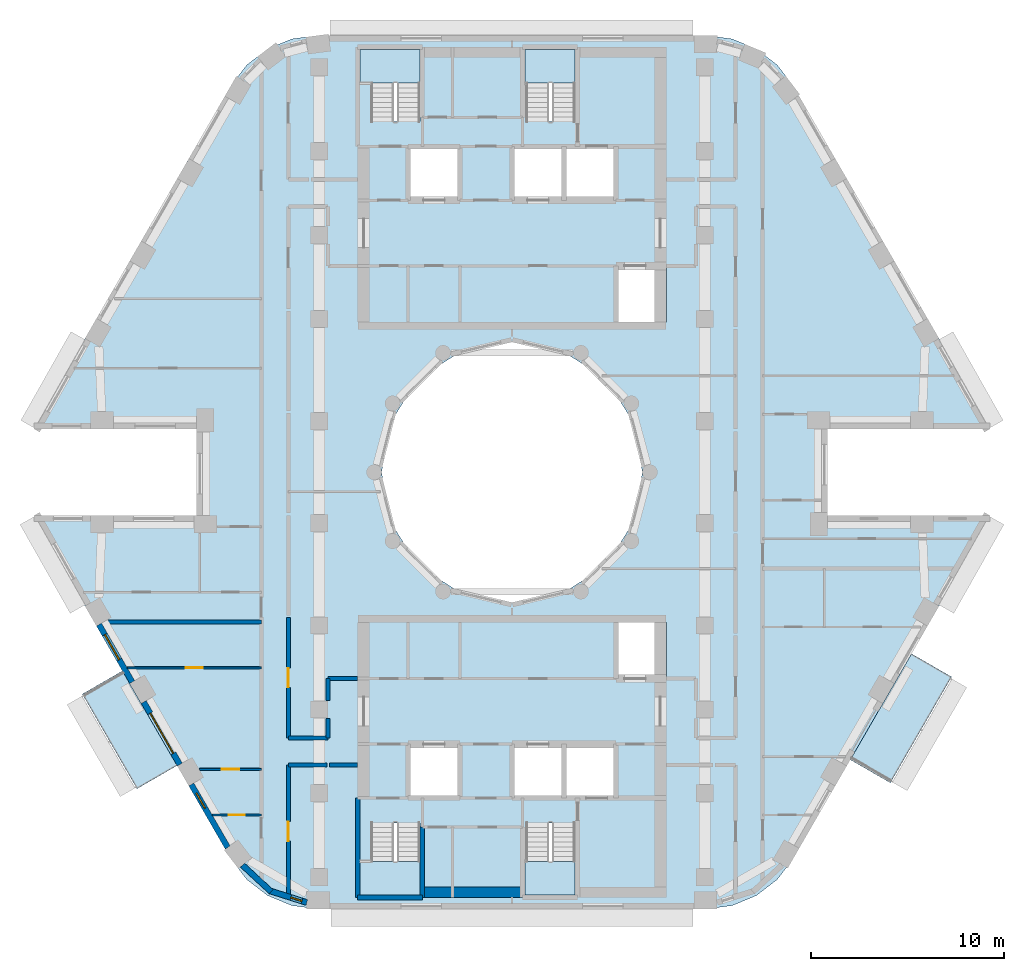
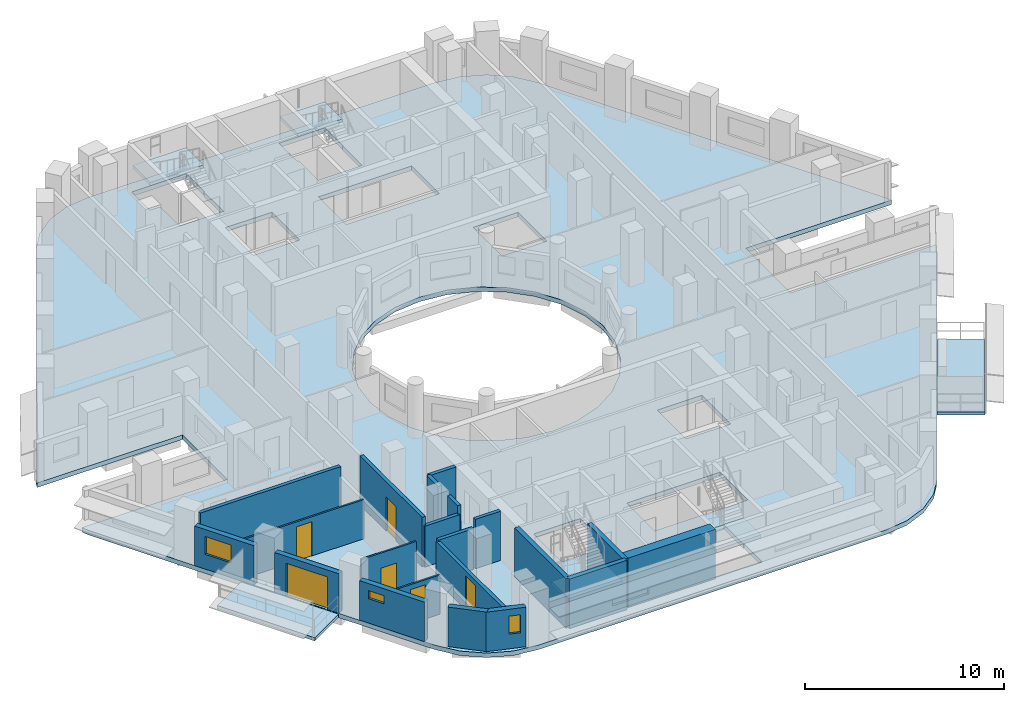
# One storey, part 2 of 15: 21 walls, 7 slabs, 6 doors, 3 windows, 9 openings, 4 elements without a shape of their own.
"""IFC4 building model written with IfcOpenShell, lengths in metres."""

from ifc_helpers import new_model, si_unit, direction, frame, frame_2d, origin, place, context, subcontext, project, spatial, polyline, rectangle, outline, extrude, material, layer, layer_set, type_object, element, fill, aggregate, save


model = new_model("IFC4")

# Units and contexts
model_context = context("Model", 3, precision=1e-05, world=origin(), true_north=direction((0.0, 1.0)))
body_context = subcontext(model_context, "Body", "Model", "MODEL_VIEW")
ifc_project = project(units=[si_unit("LENGTHUNIT", "METRE"), si_unit("AREAUNIT", "SQUARE_METRE"), si_unit("VOLUMEUNIT", "CUBIC_METRE"), si_unit("PLANEANGLEUNIT", "RADIAN"), si_unit("MASSUNIT", "GRAM", prefix="KILO")], contexts=[model_context])

# Site, building, storey
site_placement = place(None, origin())
site = spatial("IfcSite", under=ifc_project, at=site_placement, CompositionType="ELEMENT")
building_placement = place(site_placement, origin())
building = spatial("IfcBuilding", under=site, at=building_placement, Name="Nakaniwa Court", CompositionType="ELEMENT")
storey_placement = place(building_placement, frame((0.0, 0.0, 183.300048828125)))
storey = spatial("IfcBuildingStorey", under=building, at=storey_placement, Name="L47", CompositionType="ELEMENT", Elevation=183.300048828125)

# Slabs
ifc_material_1 = material(Name="Charcoal ceramic paver")
ifc_layer_1 = layer(ifc_material_1, 0.02, Name="Ceramic paver")
ifc_material_2 = material(Name="Cement sand screed")
ifc_layer_2 = layer(ifc_material_2, 0.03, Name="Falls screed")
ifc_material_3 = material(Name="Concrete C40/50", Category="concrete")
ifc_layer_3 = layer(ifc_material_3, 0.15, Name="Balcony slab")
ifc_layer_set_1 = layer_set([ifc_layer_1, ifc_layer_2, ifc_layer_3], Name="Concrete C40/50 balcony slab with ceramic paver finish")
slab_type_1 = type_object("IfcSlabType", Name="Balcony slab 200", PredefinedType="FLOOR", material=ifc_layer_set_1)
slab_1_placement = place(storey_placement, frame((0.0, 0.0, -0.25)))
element("IfcSlab", 1, at=slab_1_placement, inside=storey, type_object=slab_type_1, Name="L47 balcony 01", PredefinedType="FLOOR", context=body_context, shape_type="SweptSolid", body=[
    extrude(outline(polyline([(59.794677734375, 69.696533203125), (62.629150390625, 64.787353515625), (60.55078125, 63.58740234375), (57.71630859375, 68.49658203125), (59.794677734375, 69.696533203125)])), origin(), (0.0, 0.0, 1.0), 0.199951171875),
])
slab_2_placement = place(storey_placement, frame((0.0, 0.0, -0.25)))
element("IfcSlab", 2, at=slab_2_placement, inside=storey, type_object=slab_type_1, Name="L47 balcony 02", PredefinedType="FLOOR", context=body_context, shape_type="SweptSolid", body=[
    extrude(outline(polyline([(97.546142578125, 65.0908203125), (100.71923828125, 70.58642578125), (102.797607421875, 69.386474609375), (99.62451171875, 63.890625), (97.546142578125, 65.0908203125)])), origin(), (0.0, 0.0, 1.0), 0.199951171875),
])
ifc_material_4 = material(Name="Concrete C80/100", Category="concrete")
ifc_layer_4 = layer(ifc_material_4, 0.27490234375)
ifc_layer_set_2 = layer_set([ifc_layer_4], Name="Concrete C80/100")
slab_type_2 = type_object("IfcSlabType", Name="Concrete C80/100 post tensioned floor slab 275", PredefinedType="FLOOR", material=ifc_layer_set_2)
slab_3_placement = place(storey_placement, frame((0.0, 0.0, -0.275146484375)))
element("IfcSlab", 3, at=slab_3_placement, inside=storey, type_object=slab_type_2, Name="FLOOR SLAB", PredefinedType="FLOOR", context=body_context, shape_type="SweptSolid", body=[
    extrude(outline(polyline([(96.349609375, 82.25), (104.7978515625, 82.25), (104.65283203125, 82.60009765625), (94.578125, 100.050048828125), (93.751708984375, 101.126953125), (92.6748046875, 101.953369140625), (91.420654296875, 102.472900390625), (90.07470703125, 102.64990234375), (69.92529296875, 102.64990234375), (68.579345703125, 102.472900390625), (67.3251953125, 101.953369140625), (66.248291015625, 101.126953125), (65.421875, 100.050048828125), (55.34716796875, 82.60009765625), (55.2021484375, 82.25), (63.650390625, 82.25), (63.650390625, 77.75), (55.2021484375, 77.75), (55.34716796875, 77.39990234375), (65.421875, 59.949951171875), (66.248291015625, 58.873046875), (67.3251953125, 58.046630859375), (68.579345703125, 57.527099609375), (69.92529296875, 57.35009765625), (90.07470703125, 57.35009765625), (91.420654296875, 57.527099609375), (92.6748046875, 58.046630859375), (93.751708984375, 58.873046875), (94.578125, 59.949951171875), (104.65283203125, 77.39990234375), (104.7978515625, 77.75), (96.349609375, 77.75), (96.349609375, 82.25)]), holes=[polyline([(81.501953125, 86.580810546875), (80.0, 86.75), (78.498046875, 86.580810546875), (77.0712890625, 86.08154296875), (75.79150390625, 85.27734375), (74.72265625, 84.20849609375), (73.91845703125, 82.9287109375), (73.419189453125, 81.501953125), (73.25, 80.0), (73.419189453125, 78.498046875), (73.91845703125, 77.0712890625), (74.72265625, 75.79150390625), (75.79150390625, 74.72265625), (77.0712890625, 73.91845703125), (78.498046875, 73.419189453125), (80.0, 73.25), (81.501953125, 73.419189453125), (82.9287109375, 73.91845703125), (84.20849609375, 74.72265625), (85.27734375, 75.79150390625), (86.08154296875, 77.0712890625), (86.580810546875, 78.498046875), (86.75, 80.0), (86.580810546875, 81.501953125), (86.08154296875, 82.9287109375), (85.27734375, 84.20849609375), (84.20849609375, 85.27734375), (82.9287109375, 86.08154296875), (81.501953125, 86.580810546875)]), polyline([(72.675048828125, 61.81005859375), (72.675048828125, 59.864990234375), (72.0849609375, 59.864990234375), (72.0849609375, 58.034912109375), (75.264892578125, 58.034912109375), (75.264892578125, 59.864990234375), (75.22509765625, 59.864990234375), (75.22509765625, 61.81005859375), (72.675048828125, 61.81005859375)]), polyline([(77.300048828125, 65.89990234375), (74.60009765625, 65.89990234375), (74.60009765625, 63.10009765625), (77.300048828125, 63.10009765625), (77.300048828125, 65.89990234375)]), polyline([(80.0, 65.89990234375), (80.0, 63.10009765625), (82.699951171875, 63.10009765625), (85.39990234375, 63.10009765625), (85.39990234375, 65.89990234375), (82.699951171875, 65.89990234375), (80.0, 65.89990234375)]), polyline([(77.300048828125, 96.89990234375), (74.60009765625, 96.89990234375), (74.60009765625, 94.10009765625), (77.300048828125, 94.10009765625), (77.300048828125, 96.89990234375)]), polyline([(80.0, 96.89990234375), (80.0, 94.10009765625), (82.699951171875, 94.10009765625), (85.39990234375, 94.10009765625), (85.39990234375, 96.89990234375), (82.699951171875, 96.89990234375), (80.0, 96.89990234375)]), polyline([(75.264892578125, 100.135009765625), (75.264892578125, 101.965087890625), (72.0849609375, 101.965087890625), (72.0849609375, 100.135009765625), (72.675048828125, 100.135009765625), (72.675048828125, 98.18994140625), (75.22509765625, 98.18994140625), (75.22509765625, 100.135009765625), (75.264892578125, 100.135009765625)]), polyline([(83.27490234375, 61.81005859375), (80.72509765625, 61.81005859375), (80.72509765625, 59.864990234375), (80.635009765625, 59.864990234375), (80.635009765625, 58.034912109375), (83.31494140625, 58.034912109375), (83.31494140625, 59.864990234375), (83.27490234375, 59.864990234375), (83.27490234375, 61.81005859375)]), polyline([(88.0, 72.199951171875), (85.39990234375, 72.199951171875), (85.39990234375, 69.300048828125), (88.0, 69.300048828125), (88.0, 72.199951171875)]), polyline([(88.0, 90.699951171875), (85.39990234375, 90.699951171875), (85.39990234375, 87.800048828125), (88.0, 87.800048828125), (88.0, 90.699951171875)]), polyline([(83.31494140625, 100.135009765625), (83.31494140625, 101.965087890625), (80.635009765625, 101.965087890625), (80.635009765625, 100.135009765625), (80.72509765625, 100.135009765625), (80.72509765625, 98.18994140625), (83.27490234375, 98.18994140625), (83.27490234375, 100.135009765625), (83.31494140625, 100.135009765625)])]), origin(), (0.0, 0.0, 1.0), 0.275146484375),
])

# Stair, slab
stair_type = type_object("IfcStairType", Name="Dog leg stair 1200 wide 18 risers", PredefinedType="HALF_TURN_STAIR", material=ifc_material_4)
stair_1_placement = place(storey_placement, origin())
stair_1 = element("IfcStair", 4, at=stair_1_placement, inside=storey, type_object=stair_type, Name="L47 Stair ST1", PredefinedType="HALF_TURN_STAIR")
ifc_layer_5 = layer(ifc_material_4, 0.199951171875)
ifc_layer_set_3 = layer_set([ifc_layer_5], Name="Concrete C80/100")
slab_type_3 = type_object("IfcSlabType", Name="Stair landing concrete", PredefinedType="LANDING", material=ifc_layer_set_3)
slab_4_placement = place(storey_placement, frame((0.0, 0.0, 1.449951171875)))
slab_4 = element("IfcSlab", 5, at=slab_4_placement, type_object=slab_type_3, Name="ST1 landing 1", PredefinedType="LANDING", context=body_context, shape_type="SweptSolid", body=[
    extrude(outline(polyline([(75.22509765625, 100.175048828125), (75.22509765625, 101.925048828125), (72.125, 101.925048828125), (72.125, 100.175048828125), (75.22509765625, 100.175048828125)])), origin(), (0.0, 0.0, 1.0), 0.199951171875),
])
aggregate(stair_1, [slab_4])

stair_2_placement = place(storey_placement, origin())
stair_2 = element("IfcStair", 6, at=stair_2_placement, inside=storey, type_object=stair_type, Name="L47 Stair ST2", PredefinedType="HALF_TURN_STAIR")
slab_5_placement = place(storey_placement, frame((0.0, 0.0, 1.449951171875)))
slab_5 = element("IfcSlab", 7, at=slab_5_placement, type_object=slab_type_3, Name="ST2 landing 1", PredefinedType="LANDING", context=body_context, shape_type="SweptSolid", body=[
    extrude(outline(polyline([(83.27490234375, 100.175048828125), (83.27490234375, 101.925048828125), (80.675048828125, 101.925048828125), (80.675048828125, 100.175048828125), (83.27490234375, 100.175048828125)])), origin(), (0.0, 0.0, 1.0), 0.199951171875),
])
aggregate(stair_2, [slab_5])

stair_3_placement = place(storey_placement, origin())
stair_3 = element("IfcStair", 8, at=stair_3_placement, inside=storey, type_object=stair_type, Name="L47 Stair ST3", PredefinedType="HALF_TURN_STAIR")
slab_6_placement = place(storey_placement, frame((0.0, 0.0, 1.449951171875)))
slab_6 = element("IfcSlab", 9, at=slab_6_placement, type_object=slab_type_3, Name="ST3 landing 1", PredefinedType="LANDING", context=body_context, shape_type="SweptSolid", body=[
    extrude(outline(polyline([(75.22509765625, 58.074951171875), (75.22509765625, 59.824951171875), (72.125, 59.824951171875), (72.125, 58.074951171875), (75.22509765625, 58.074951171875)])), origin(), (0.0, 0.0, 1.0), 0.199951171875),
])
aggregate(stair_3, [slab_6])

stair_4_placement = place(storey_placement, origin())
stair_4 = element("IfcStair", 10, at=stair_4_placement, inside=storey, type_object=stair_type, Name="L47 Stair ST4", PredefinedType="HALF_TURN_STAIR")
slab_7_placement = place(storey_placement, frame((0.0, 0.0, 1.449951171875)))
slab_7 = element("IfcSlab", 11, at=slab_7_placement, type_object=slab_type_3, Name="ST4 landing 1", PredefinedType="LANDING", context=body_context, shape_type="SweptSolid", body=[
    extrude(outline(polyline([(83.27490234375, 58.074951171875), (83.27490234375, 59.824951171875), (80.675048828125, 59.824951171875), (80.675048828125, 58.074951171875), (83.27490234375, 58.074951171875)])), origin(), (0.0, 0.0, 1.0), 0.199951171875),
])
aggregate(stair_4, [slab_7])

# Walls
ifc_material_5 = material(Name="Acoustic double stud partition")
ifc_layer_6 = layer(ifc_material_5, 0.199951171875)
ifc_layer_set_4 = layer_set([ifc_layer_6], Name="Acoustic double stud partition")
wall_type_1 = type_object("IfcWallType", Name="Acoustic double stud partition 200", PredefinedType="PARTITIONING", material=ifc_layer_set_4)
wall_1_placement = place(storey_placement, frame((68.39990234375, 64.824951171875, 0.0), z_axis=(0.0, 0.0, 1.0), x_axis=(1.0, 0.0, 0.0)))
element("IfcWall", 12, at=wall_1_placement, inside=storey, type_object=wall_type_1, Name="Partition PW-074", PredefinedType="PARTITIONING", context=body_context, shape_type="SweptSolid", body=[
    extrude(rectangle(XDim=2.012939453125, YDim=0.199951171875, at=frame_2d((1.00634765625, 0.0))), origin(), (0.0, 0.0, 1.0), 2.5048828125),
])
wall_2_placement = place(storey_placement, frame((70.527099609375, 64.824951171875, 0.0), z_axis=(0.0, 0.0, 1.0), x_axis=(1.0, 0.0, 0.0)))
element("IfcWall", 13, at=wall_2_placement, inside=storey, type_object=wall_type_1, Name="Partition PW-075", PredefinedType="PARTITIONING", context=body_context, shape_type="SweptSolid", body=[
    extrude(rectangle(XDim=1.472900390625, YDim=0.199951171875, at=frame_2d((0.736328125, 0.0))), origin(), (0.0, 0.0, 1.0), 3.02490234375),
])
wall_3_placement = place(storey_placement, frame((70.449951171875, 69.300048828125, 0.0), z_axis=(0.0, 0.0, 1.0), x_axis=(1.0, 0.0, 0.0)))
element("IfcWall", 14, at=wall_3_placement, inside=storey, type_object=wall_type_1, Name="Partition PW-079", PredefinedType="PARTITIONING", context=body_context, shape_type="SweptSolid", body=[
    extrude(rectangle(XDim=1.550048828125, YDim=0.199951171875, at=frame_2d((0.77490234375, 0.0))), origin(), (0.0, 0.0, 1.0), 3.02490234375),
])
wall_4_placement = place(storey_placement, frame((68.39990234375, 66.22509765625, 0.0), z_axis=(0.0, 0.0, 1.0), x_axis=(1.0, 0.0, 0.0)))
element("IfcWall", 15, at=wall_4_placement, inside=storey, type_object=wall_type_1, Name="Partition PW-085", PredefinedType="PARTITIONING", context=body_context, shape_type="SweptSolid", body=[
    extrude(rectangle(XDim=2.050048828125, YDim=0.199951171875, at=frame_2d((1.02490234375, 0.0))), origin(), (0.0, 0.0, 1.0), 2.5048828125),
])

# Wall, opening, door
wall_5_placement = place(storey_placement, frame((68.39990234375, 64.824951171875, 0.0), z_axis=(0.0, 0.0, 1.0), x_axis=(0.0, -1.0, 0.0)))
wall_5 = element("IfcWall", 16, at=wall_5_placement, inside=storey, type_object=wall_type_1, Name="Partition PW-095", PredefinedType="PARTITIONING", context=body_context, shape_type="SweptSolid", body=[
    extrude(rectangle(XDim=6.898681640625, YDim=0.199951171875, at=frame_2d((3.44921875, 0.0))), origin(), (0.0, 0.0, 1.0), 2.405029296875),
])
opening_1_placement = place(wall_5_placement, frame((2.949951171875, 0.0, 0.0)))
opening_1 = element("IfcOpeningElement", 17, at=opening_1_placement, cuts=wall_5, Name="Opening D-02-05", PredefinedType="OPENING", context=body_context, shape_type="SweptSolid", body=[
    extrude(rectangle(XDim=1.0, YDim=2.10009765625, at=frame_2d((0.5, 1.050048828125))), frame((0.0, 0.10986328125, 0.0), z_axis=(0.0, -1.0, 0.0), x_axis=(1.0, 0.0, 0.0)), (0.0, 0.0, 1.0), 0.219970703125),
])
ifc_material_6 = material(Name="Solid core timber door set, black veneer", Category="wood")
door_type_1 = type_object("IfcDoorType", Name="Internal door 1000", OperationType="NOTDEFINED", PredefinedType="DOOR", material=ifc_material_6)
door_1_placement = place(opening_1_placement, origin())
door_1 = element("IfcDoor", 18, at=door_1_placement, inside=storey, type_object=door_type_1, Name="Door D-02-05 L47-036", OperationType="SINGLE_SWING_LEFT", OverallHeight=2.10009765625, OverallWidth=1.0, PredefinedType="DOOR", context=body_context, shape_type="SweptSolid", body=[
    extrude(rectangle(XDim=1.0, YDim=2.10009765625, at=frame_2d((0.5, 1.050048828125))), frame((0.0, 0.02490234375, 0.0), z_axis=(0.0, -1.0, 0.0), x_axis=(1.0, 0.0, 0.0)), (0.0, 0.0, 1.0), 0.050048828125),
])
fill(opening_1, door_1)

wall_6_placement = place(storey_placement, frame((68.39990234375, 72.462890625, 0.0), z_axis=(0.0, 0.0, 1.0), x_axis=(0.0, -1.0, 0.0)))
wall_6 = element("IfcWall", 19, at=wall_6_placement, inside=storey, type_object=wall_type_1, Name="Partition PW-096", PredefinedType="PARTITIONING", context=body_context, shape_type="SweptSolid", body=[
    extrude(rectangle(XDim=6.23779296875, YDim=0.199951171875, at=frame_2d((3.118896484375, 0.0))), origin(), (0.0, 0.0, 1.0), 3.02490234375),
])
opening_2_placement = place(wall_6_placement, frame((2.6201171875, 0.0, 0.0)))
opening_2 = element("IfcOpeningElement", 20, at=opening_2_placement, cuts=wall_6, Name="Opening D-02-06", PredefinedType="OPENING", context=body_context, shape_type="SweptSolid", body=[
    extrude(rectangle(XDim=1.0, YDim=2.10009765625, at=frame_2d((0.5, 1.050048828125))), frame((0.0, 0.10986328125, 0.0), z_axis=(0.0, -1.0, 0.0), x_axis=(1.0, 0.0, 0.0)), (0.0, 0.0, 1.0), 0.219970703125),
])
door_2_placement = place(opening_2_placement, origin())
door_2 = element("IfcDoor", 21, at=door_2_placement, inside=storey, type_object=door_type_1, Name="Door D-02-06 L47-041", OperationType="SINGLE_SWING_RIGHT", OverallHeight=2.10009765625, OverallWidth=1.0, PredefinedType="DOOR", context=body_context, shape_type="SweptSolid", body=[
    extrude(rectangle(XDim=1.0, YDim=2.10009765625, at=frame_2d((0.5, 1.050048828125))), frame((0.0, 0.02490234375, 0.0), z_axis=(0.0, -1.0, 0.0), x_axis=(1.0, 0.0, 0.0)), (0.0, 0.0, 1.0), 0.050048828125),
])
fill(opening_2, door_2)

# Walls
wall_7_placement = place(storey_placement, frame((70.449951171875, 66.22509765625, 0.0), z_axis=(0.0, 0.0, 1.0), x_axis=(0.0, 1.0, 0.0)))
element("IfcWall", 22, at=wall_7_placement, inside=storey, type_object=wall_type_1, Name="Partition PW-103", PredefinedType="PARTITIONING", context=body_context, shape_type="SweptSolid", body=[
    extrude(rectangle(XDim=1.0078125, YDim=0.199951171875, at=frame_2d((0.50390625, 0.0))), origin(), (0.0, 0.0, 1.0), 3.02490234375),
])
wall_8_placement = place(storey_placement, frame((70.449951171875, 68.167236328125, 0.0), z_axis=(0.0, 0.0, 1.0), x_axis=(0.0, 1.0, 0.0)))
element("IfcWall", 23, at=wall_8_placement, inside=storey, type_object=wall_type_1, Name="Partition PW-104", PredefinedType="PARTITIONING", context=body_context, shape_type="SweptSolid", body=[
    extrude(rectangle(XDim=1.1328125, YDim=0.199951171875, at=frame_2d((0.56640625, 0.0))), origin(), (0.0, 0.0, 1.0), 3.02490234375),
])
wall_9_placement = place(storey_placement, frame((58.8408203125, 72.22509765625, 0.0), z_axis=(0.0, 0.0, 1.0), x_axis=(1.0, 0.0, 0.0)))
element("IfcWall", 24, at=wall_9_placement, inside=storey, type_object=wall_type_1, Name="Partition PW-125", PredefinedType="PARTITIONING", context=body_context, shape_type="SweptSolid", body=[
    extrude(rectangle(XDim=8.158203125, YDim=0.199951171875, at=frame_2d((4.0791015625, 0.0))), origin(), (0.0, 0.0, 1.0), 3.02490234375),
])

# Wall, opening, window
ifc_material_7 = material(Name="Charcoal ceramic cladding")
ifc_layer_7 = layer(ifc_material_7, 0.02, Name="Ceramic cladding")
ifc_material_8 = material(Name="Ventilated air cavity")
ifc_layer_8 = layer(ifc_material_8, 0.04, ventilated=True, Name="Ventilated cavity")
ifc_material_9 = material(Name="Mineral wool insulation")
ifc_layer_9 = layer(ifc_material_9, 0.1, Name="Insulation")
ifc_material_10 = material(Name="Cement bonded sheathing board")
ifc_layer_10 = layer(ifc_material_10, 0.012, Name="Sheathing")
ifc_material_11 = material(Name="Cold-formed galvanised stud frame with mineral wool infill")
ifc_layer_11 = layer(ifc_material_11, 0.1, Name="Stud frame")
ifc_material_12 = material(Name="Fire-rated gypsum plasterboard lining")
ifc_layer_12 = layer(ifc_material_12, 0.028, Name="Lining")
ifc_layer_set_5 = layer_set([ifc_layer_7, ifc_layer_8, ifc_layer_9, ifc_layer_10, ifc_layer_11, ifc_layer_12], Name="Charcoal ceramic faced external wall system")
wall_type_2 = type_object("IfcWallType", Name="Black ceramic faced external wall 300", PredefinedType="SOLIDWALL", material=ifc_layer_set_5)
wall_10_placement = place(storey_placement, frame((58.579345703125, 72.101806640625, 0.0), z_axis=(0.0, 0.0, 1.0), x_axis=(0.499955427682, -0.866051136095, 0.0)))
wall_10 = element("IfcWall", 25, at=wall_10_placement, inside=storey, type_object=wall_type_2, Name="L47 external wall 21", PredefinedType="SOLIDWALL", context=body_context, shape_type="SweptSolid", body=[
    extrude(rectangle(XDim=3.447021484375, YDim=0.300048828125, at=frame_2d((1.7236328125, 0.0))), origin(), (0.0, 0.0, 1.0), 2.425048828125),
])
opening_3_placement = place(wall_10_placement, frame((0.607421875, 0.0, 0.89990234375)))
opening_3 = element("IfcOpeningElement", 26, at=opening_3_placement, cuts=wall_10, Name="Opening W5.24", PredefinedType="OPENING", context=body_context, shape_type="SweptSolid", body=[
    extrude(rectangle(XDim=1.5, YDim=1.10009765625, at=frame_2d((0.75, 0.550048828125))), frame((0.0, 0.159912109375, 0.0), z_axis=(0.0, -1.0, 0.0), x_axis=(1.0, 0.0, 0.0)), (0.0, 0.0, 1.0), 0.320068359375),
])
ifc_material_13 = material(Name="Black anodised aluminium frame with dark low-E laminated double glazing", Category="aluminium")
window_type_1 = type_object("IfcWindowType", Name="Dark glass window 1500x1100 sill 900", PartitioningType="SINGLE_PANEL", PredefinedType="WINDOW", material=ifc_material_13)
window_1_placement = place(opening_3_placement, origin())
window_1 = element("IfcWindow", 27, at=window_1_placement, inside=storey, type_object=window_type_1, Name="L47 habitable room window 21-1", OverallHeight=1.10009765625, OverallWidth=1.5, PartitioningType="SINGLE_PANEL", PredefinedType="WINDOW", context=body_context, shape_type="SweptSolid", body=[
    extrude(rectangle(XDim=1.5, YDim=1.10009765625, at=frame_2d((0.75, 0.550048828125))), frame((0.0, 0.030029296875, 0.0), z_axis=(0.0, -1.0, 0.0), x_axis=(1.0, 0.0, 0.0)), (0.0, 0.0, 1.0), 0.06005859375),
])
fill(opening_3, window_1)

# Wall, opening, door
wall_11_placement = place(storey_placement, frame((60.898681640625, 68.083984375, 0.0), z_axis=(0.0, 0.0, 1.0), x_axis=(0.500059225181, -0.86599120741, 0.0)))
wall_11 = element("IfcWall", 28, at=wall_11_placement, inside=storey, type_object=wall_type_2, Name="L47 external wall 22", PredefinedType="SOLIDWALL", context=body_context, shape_type="SweptSolid", body=[
    extrude(rectangle(XDim=3.744140625, YDim=0.300048828125, at=frame_2d((1.8720703125, 0.0))), origin(), (0.0, 0.0, 1.0), 2.425048828125),
])
opening_4_placement = place(wall_11_placement, frame((0.672119140625, 0.0, 0.0)))
opening_4 = element("IfcOpeningElement", 29, at=opening_4_placement, cuts=wall_11, Name="Opening XD13.01", PredefinedType="OPENING", context=body_context, shape_type="SweptSolid", body=[
    extrude(rectangle(XDim=2.39990234375, YDim=2.0, at=frame_2d((1.199951171875, 1.0))), frame((0.0, 0.159912109375, 0.0), z_axis=(0.0, -1.0, 0.0), x_axis=(1.0, 0.0, 0.0)), (0.0, 0.0, 1.0), 0.320068359375),
])
ifc_material_14 = material(Name="Black powder-coated aluminium frame with dark laminated glass", Category="aluminium")
door_type_2 = type_object("IfcDoorType", Name="Balcony sliding door 2400x2000", OperationType="DOUBLE_DOOR_SLIDING", PredefinedType="DOOR", material=ifc_material_14)
door_3_placement = place(opening_4_placement, origin())
door_3 = element("IfcDoor", 30, at=door_3_placement, inside=storey, type_object=door_type_2, Name="L47 balcony sliding door 01", OperationType="DOUBLE_DOOR_SLIDING", OverallHeight=2.0, OverallWidth=2.39990234375, PredefinedType="DOOR", context=body_context, shape_type="SweptSolid", body=[
    extrude(rectangle(XDim=2.39990234375, YDim=2.0, at=frame_2d((1.199951171875, 1.0))), frame((0.0, 0.02490234375, 0.0), z_axis=(0.0, -1.0, 0.0), x_axis=(1.0, 0.0, 0.0)), (0.0, 0.0, 1.0), 0.050048828125),
])
fill(opening_4, door_3)

# Wall, opening, window
wall_12_placement = place(storey_placement, frame((63.366943359375, 63.809326171875, 0.0), z_axis=(0.0, 0.0, 1.0), x_axis=(0.499961087031, -0.866047869032, 0.0)))
wall_12 = element("IfcWall", 31, at=wall_12_placement, inside=storey, type_object=wall_type_2, Name="L47 external wall 23", PredefinedType="SOLIDWALL", context=body_context, shape_type="SweptSolid", body=[
    extrude(rectangle(XDim=3.778564453125, YDim=0.300048828125, at=frame_2d((1.88916015625, 0.0))), origin(), (0.0, 0.0, 1.0), 2.425048828125),
])
opening_5_placement = place(wall_12_placement, frame((0.525634765625, 0.0, 1.5)))
opening_5 = element("IfcOpeningElement", 32, at=opening_5_placement, cuts=wall_12, Name="Opening W10.25", PredefinedType="OPENING", context=body_context, shape_type="SweptSolid", body=[
    extrude(rectangle(XDim=0.89990234375, YDim=0.5, at=frame_2d((0.449951171875, 0.25))), frame((0.0, 0.159912109375, 0.0), z_axis=(0.0, -1.0, 0.0), x_axis=(1.0, 0.0, 0.0)), (0.0, 0.0, 1.0), 0.320068359375),
])
window_type_2 = type_object("IfcWindowType", Name="Dark glass window 900x500 sill 1500", PartitioningType="SINGLE_PANEL", PredefinedType="WINDOW", material=ifc_material_13)
window_2_placement = place(opening_5_placement, origin())
window_2 = element("IfcWindow", 33, at=window_2_placement, inside=storey, type_object=window_type_2, Name="L47 bathroom window 23-0", OverallHeight=0.5, OverallWidth=0.89990234375, PartitioningType="SINGLE_PANEL", PredefinedType="WINDOW", context=body_context, shape_type="SweptSolid", body=[
    extrude(rectangle(XDim=0.89990234375, YDim=0.5, at=frame_2d((0.449951171875, 0.25))), frame((0.0, 0.030029296875, 0.0), z_axis=(0.0, -1.0, 0.0), x_axis=(1.0, 0.0, 0.0)), (0.0, 0.0, 1.0), 0.06005859375),
])
fill(opening_5, window_2)

# Wall
wall_13_placement = place(storey_placement, frame((66.0224609375, 59.622314453125, 0.0), z_axis=(0.0, 0.0, 1.0), x_axis=(0.734627852992, -0.678470277616, 0.0)))
element("IfcWall", 34, at=wall_13_placement, inside=storey, type_object=wall_type_2, Name="L47 external wall 24", PredefinedType="SOLIDWALL", context=body_context, shape_type="SweptSolid", body=[
    extrude(rectangle(XDim=2.02587890625, YDim=0.300048828125, at=frame_2d((1.012939453125, 0.0))), origin(), (0.0, 0.0, 1.0), 2.425048828125),
])

# Wall, opening, window
wall_14_placement = place(storey_placement, frame((67.40576171875, 58.3017578125, 0.0), z_axis=(0.0, 0.0, 1.0), x_axis=(0.953537608367, -0.301274010545, 0.0)))
wall_14 = element("IfcWall", 35, at=wall_14_placement, inside=storey, type_object=wall_type_2, Name="L47 external wall 25", PredefinedType="SOLIDWALL", context=body_context, shape_type="SweptSolid", body=[
    extrude(rectangle(XDim=2.0478515625, YDim=0.300048828125, at=frame_2d((1.02392578125, 0.0))), origin(), (0.0, 0.0, 1.0), 2.425048828125),
])
opening_6_placement = place(wall_14_placement, frame((1.1796875, 0.0, 0.89990234375)))
opening_6 = element("IfcOpeningElement", 36, at=opening_6_placement, cuts=wall_14, Name="Opening W8.26", PredefinedType="OPENING", context=body_context, shape_type="SweptSolid", body=[
    extrude(rectangle(XDim=0.60009765625, YDim=1.10009765625, at=frame_2d((0.300048828125, 0.550048828125))), frame((0.0, 0.159912109375, 0.0), z_axis=(0.0, -1.0, 0.0), x_axis=(1.0, 0.0, 0.0)), (0.0, 0.0, 1.0), 0.320068359375),
])
window_type_3 = type_object("IfcWindowType", Name="Dark glass window 600x1100 sill 900", PartitioningType="SINGLE_PANEL", PredefinedType="WINDOW", material=ifc_material_13)
window_3_placement = place(opening_6_placement, origin())
window_3 = element("IfcWindow", 37, at=window_3_placement, inside=storey, type_object=window_type_3, Name="L47 habitable room window 25-1", OverallHeight=1.10009765625, OverallWidth=0.60009765625, PartitioningType="SINGLE_PANEL", PredefinedType="WINDOW", context=body_context, shape_type="SweptSolid", body=[
    extrude(rectangle(XDim=0.60009765625, YDim=1.10009765625, at=frame_2d((0.300048828125, 0.550048828125))), frame((0.0, 0.030029296875, 0.0), z_axis=(0.0, -1.0, 0.0), x_axis=(1.0, 0.0, 0.0)), (0.0, 0.0, 1.0), 0.06005859375),
])
fill(opening_6, window_3)

# Walls
ifc_layer_13 = layer(ifc_material_4, 0.25)
ifc_layer_set_6 = layer_set([ifc_layer_13], Name="Concrete C80/100")
wall_type_3 = type_object("IfcWallType", Name="Concrete core wall 250 C80", PredefinedType="SHEAR", material=ifc_layer_set_6)
wall_15_placement = place(storey_placement, frame((72.0, 57.949951171875, -0.275146484375), z_axis=(0.0, 0.0, 1.0), x_axis=(0.0, 1.0, 0.0)))
element("IfcWall", 38, at=wall_15_placement, inside=storey, type_object=wall_type_3, Name="Core wall SW-57", PredefinedType="SHEAR", context=body_context, shape_type="SweptSolid", body=[
    extrude(rectangle(XDim=5.150146484375, YDim=0.25, at=frame_2d((2.5751953125, 0.0))), origin(), (0.0, 0.0, 1.0), 3.300048828125),
])
wall_16_placement = place(storey_placement, frame((72.0, 57.949951171875, -0.275146484375), z_axis=(0.0, 0.0, 1.0), x_axis=(1.0, 0.0, 0.0)))
element("IfcWall", 39, at=wall_16_placement, inside=storey, type_object=wall_type_3, Name="Core wall SW-58", PredefinedType="SHEAR", context=body_context, shape_type="SweptSolid", body=[
    extrude(rectangle(XDim=3.35009765625, YDim=0.25, at=frame_2d((1.675048828125, 0.0))), origin(), (0.0, 0.0, 1.0), 3.300048828125),
])
ifc_layer_14 = layer(ifc_material_4, 0.550048828125)
ifc_layer_set_7 = layer_set([ifc_layer_14], Name="Concrete C80/100")
wall_type_4 = type_object("IfcWallType", Name="Concrete core wall 550 C80", PredefinedType="SHEAR", material=ifc_layer_set_7)
wall_17_placement = place(storey_placement, frame((75.35009765625, 58.22509765625, -0.275146484375), z_axis=(0.0, 0.0, 1.0), x_axis=(1.0, 0.0, 0.0)))
element("IfcWall", 40, at=wall_17_placement, inside=storey, type_object=wall_type_4, Name="Core wall SW-63", PredefinedType="SHEAR", context=body_context, shape_type="SweptSolid", body=[
    extrude(rectangle(XDim=5.199951171875, YDim=0.550048828125, at=frame_2d((2.60009765625, 0.0))), origin(), (0.0, 0.0, 1.0), 3.300048828125),
])
ifc_layer_15 = layer(ifc_material_4, 0.25)
ifc_layer_set_8 = layer_set([ifc_layer_15], Name="Concrete C80/100")
wall_type_5 = type_object("IfcWallType", Name="Concrete shaft wall 250 C80", PredefinedType="SHEAR", material=ifc_layer_set_8)
wall_18_placement = place(storey_placement, frame((75.35009765625, 57.949951171875, -0.275146484375), z_axis=(0.0, 0.0, 1.0), x_axis=(0.0, 1.0, 0.0)))
element("IfcWall", 41, at=wall_18_placement, inside=storey, type_object=wall_type_5, Name="Core wall SW-56", PredefinedType="SHEAR", context=body_context, shape_type="SweptSolid", body=[
    extrude(rectangle(XDim=3.653076171875, YDim=0.25, at=frame_2d((1.82666015625, 0.0))), origin(), (0.0, 0.0, 1.0), 3.300048828125),
])

# Wall, opening, door
ifc_material_15 = material(Name="Single stud plasterboard partition")
ifc_layer_16 = layer(ifc_material_15, 0.10009765625)
ifc_layer_set_9 = layer_set([ifc_layer_16], Name="Single stud plasterboard partition")
wall_type_6 = type_object("IfcWallType", Name="Single stud plasterboard partition 100", PredefinedType="PARTITIONING", material=ifc_layer_set_9)
wall_19_placement = place(storey_placement, frame((64.454833984375, 62.22509765625, 0.0), z_axis=(0.0, 0.0, 1.0), x_axis=(1.0, 0.0, 0.0)))
wall_19 = element("IfcWall", 42, at=wall_19_placement, inside=storey, type_object=wall_type_6, Name="Partition PW-111", PredefinedType="PARTITIONING", context=body_context, shape_type="SweptSolid", body=[
    extrude(rectangle(XDim=2.544189453125, YDim=0.10009765625, at=frame_2d((1.27197265625, 0.0))), origin(), (0.0, 0.0, 1.0), 2.405029296875),
])
opening_7_placement = place(wall_19_placement, frame((0.846923828125, 0.0, 0.0)))
opening_7 = element("IfcOpeningElement", 43, at=opening_7_placement, cuts=wall_19, Name="Opening D-03-03", PredefinedType="OPENING", context=body_context, shape_type="SweptSolid", body=[
    extrude(rectangle(XDim=0.85009765625, YDim=2.10009765625, at=frame_2d((0.425048828125, 1.050048828125))), frame((0.0, 0.06005859375, 0.0), z_axis=(0.0, -1.0, 0.0), x_axis=(1.0, 0.0, 0.0)), (0.0, 0.0, 1.0), 0.1201171875),
])
ifc_material_16 = material(Name="Moisture sealed timber door set", Category="wood")
door_type_3 = type_object("IfcDoorType", Name="Bathroom door 850", OperationType="NOTDEFINED", PredefinedType="DOOR", material=ifc_material_16)
door_4_placement = place(opening_7_placement, origin())
door_4 = element("IfcDoor", 44, at=door_4_placement, inside=storey, type_object=door_type_3, Name="Door D-03-03 L47-038", OperationType="SINGLE_SWING_LEFT", OverallHeight=2.10009765625, OverallWidth=0.85009765625, PredefinedType="DOOR", context=body_context, shape_type="SweptSolid", body=[
    extrude(rectangle(XDim=0.85009765625, YDim=2.10009765625, at=frame_2d((0.425048828125, 1.050048828125))), frame((0.0, 0.02490234375, 0.0), z_axis=(0.0, -1.0, 0.0), x_axis=(1.0, 0.0, 0.0)), (0.0, 0.0, 1.0), 0.050048828125),
])
fill(opening_7, door_4)

wall_20_placement = place(storey_placement, frame((63.80322265625, 64.593994140625, 0.0), z_axis=(0.0, 0.0, 1.0), x_axis=(1.0, 0.0, 0.0)))
wall_20 = element("IfcWall", 45, at=wall_20_placement, inside=storey, type_object=wall_type_6, Name="Partition PW-123", PredefinedType="PARTITIONING", context=body_context, shape_type="SweptSolid", body=[
    extrude(rectangle(XDim=3.19580078125, YDim=0.10009765625, at=frame_2d((1.597900390625, 0.0))), origin(), (0.0, 0.0, 1.0), 3.02490234375),
])
opening_8_placement = place(wall_20_placement, frame((1.14794921875, 0.0, 0.0)))
opening_8 = element("IfcOpeningElement", 46, at=opening_8_placement, cuts=wall_20, Name="Opening D-33-06", PredefinedType="OPENING", context=body_context, shape_type="SweptSolid", body=[
    extrude(rectangle(XDim=0.89990234375, YDim=2.10009765625, at=frame_2d((0.449951171875, 1.050048828125))), frame((0.0, 0.06005859375, 0.0), z_axis=(0.0, -1.0, 0.0), x_axis=(1.0, 0.0, 0.0)), (0.0, 0.0, 1.0), 0.1201171875),
])
door_type_4 = type_object("IfcDoorType", Name="Internal door 900", OperationType="NOTDEFINED", PredefinedType="DOOR", material=ifc_material_6)
door_5_placement = place(opening_8_placement, origin())
door_5 = element("IfcDoor", 47, at=door_5_placement, inside=storey, type_object=door_type_4, Name="Door D-33-06 L47-039", OperationType="SINGLE_SWING_RIGHT", OverallHeight=2.10009765625, OverallWidth=0.89990234375, PredefinedType="DOOR", context=body_context, shape_type="SweptSolid", body=[
    extrude(rectangle(XDim=0.89990234375, YDim=2.10009765625, at=frame_2d((0.449951171875, 1.050048828125))), frame((0.0, 0.02490234375, 0.0), z_axis=(0.0, -1.0, 0.0), x_axis=(1.0, 0.0, 0.0)), (0.0, 0.0, 1.0), 0.050048828125),
])
fill(opening_8, door_5)

wall_21_placement = place(storey_placement, frame((60.048583984375, 69.85693359375, 0.0), z_axis=(0.0, 0.0, 1.0), x_axis=(1.0, 0.0, 0.0)))
wall_21 = element("IfcWall", 48, at=wall_21_placement, inside=storey, type_object=wall_type_6, Name="Partition PW-124", PredefinedType="PARTITIONING", context=body_context, shape_type="SweptSolid", body=[
    extrude(rectangle(XDim=6.950439453125, YDim=0.10009765625, at=frame_2d((3.47509765625, 0.0))), origin(), (0.0, 0.0, 1.0), 2.405029296875),
])
opening_9_placement = place(wall_21_placement, frame((3.02490234375, 0.0, 0.0)))
opening_9 = element("IfcOpeningElement", 49, at=opening_9_placement, cuts=wall_21, Name="Opening D-33-07", PredefinedType="OPENING", context=body_context, shape_type="SweptSolid", body=[
    extrude(rectangle(XDim=0.89990234375, YDim=2.10009765625, at=frame_2d((0.449951171875, 1.050048828125))), frame((0.0, 0.06005859375, 0.0), z_axis=(0.0, -1.0, 0.0), x_axis=(1.0, 0.0, 0.0)), (0.0, 0.0, 1.0), 0.1201171875),
])
door_6_placement = place(opening_9_placement, origin())
door_6 = element("IfcDoor", 50, at=door_6_placement, inside=storey, type_object=door_type_4, Name="Door D-33-07 L47-040", OperationType="SINGLE_SWING_LEFT", OverallHeight=2.10009765625, OverallWidth=0.89990234375, PredefinedType="DOOR", context=body_context, shape_type="SweptSolid", body=[
    extrude(rectangle(XDim=0.89990234375, YDim=2.10009765625, at=frame_2d((0.449951171875, 1.050048828125))), frame((0.0, 0.02490234375, 0.0), z_axis=(0.0, -1.0, 0.0), x_axis=(1.0, 0.0, 0.0)), (0.0, 0.0, 1.0), 0.050048828125),
])
fill(opening_9, door_6)

save(model, "model.ifc")
